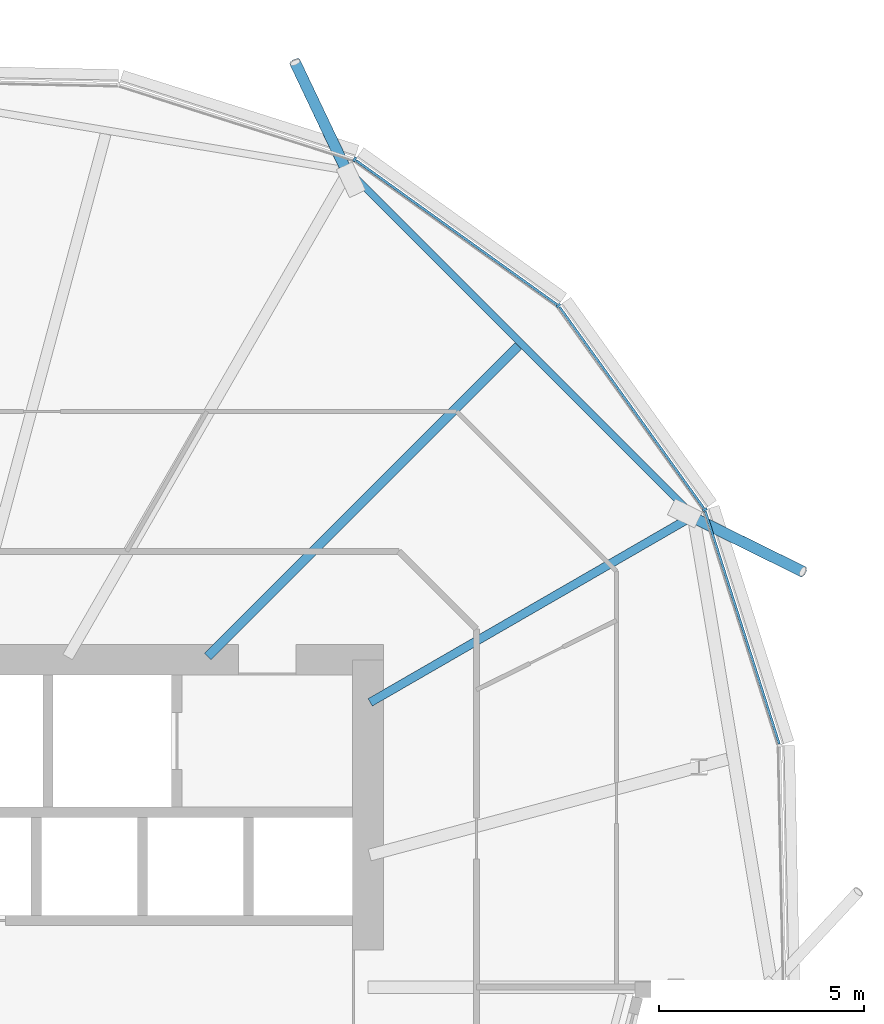
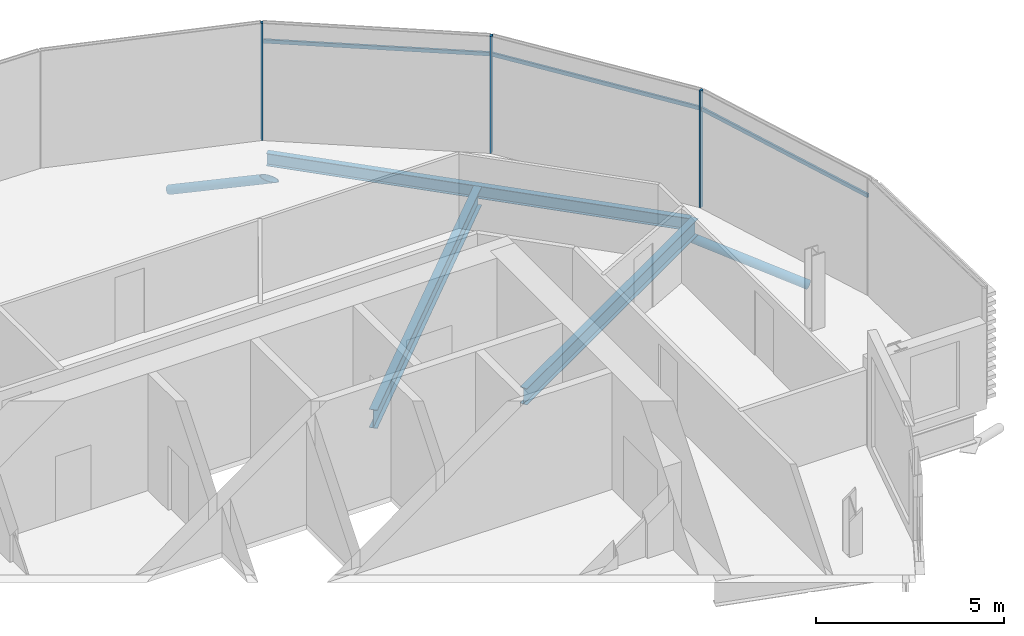
# One storey, part 18 of 39: 8 members, 3 beams, 1 element without a shape of its own.
"""IFC4 building model written with IfcOpenShell, lengths in metres."""

from ifc_helpers import new_model, si_unit, direction, frame, origin, origin_2d, place, context, subcontext, project, spatial, rectangle, hollow_circle, i_section, extrude, clip, halfspace, material, material_profile, profile_set, type_object, element, aggregate, save


model = new_model("IFC4")

# Units and contexts
model_context = context("Model", 3, precision=1e-05, world=origin(), true_north=direction((0.0, 1.0)))
body_context = subcontext(model_context, "Body", "Model", "MODEL_VIEW")
ifc_project = project(units=[si_unit("LENGTHUNIT", "METRE"), si_unit("AREAUNIT", "SQUARE_METRE"), si_unit("VOLUMEUNIT", "CUBIC_METRE"), si_unit("PLANEANGLEUNIT", "RADIAN"), si_unit("MASSUNIT", "GRAM", prefix="KILO")], contexts=[model_context])

# Site, building, storey
site_placement = place(None, origin())
site = spatial("IfcSite", under=ifc_project, at=site_placement, CompositionType="ELEMENT")
building_placement = place(site_placement, origin())
building = spatial("IfcBuilding", under=site, at=building_placement, Name="Rimbun Link Towers", CompositionType="ELEMENT")
storey_placement = place(building_placement, frame((0.0, 0.0, 100.60009765625)))
storey = spatial("IfcBuildingStorey", under=building, at=storey_placement, Name="L24", CompositionType="ELEMENT", Elevation=100.60009765625)

# Curtain wall, members
ifc_material_1 = material(Name="Aluminium 6063-T6 and low-iron glass", Category="aluminium")
curtain_wall_type = type_object("IfcCurtainWallType", Name="CW1-Z2 unitised vision wall (zone 2)", PredefinedType="NOTDEFINED", material=ifc_material_1)
curtain_wall_placement = place(storey_placement, origin())
curtain_wall = element("IfcCurtainWall", 1, at=curtain_wall_placement, inside=storey, type_object=curtain_wall_type, Name="CW1 L24 T2", PredefinedType="NOTDEFINED")
ifc_material_2 = material(Name="Aluminium 6063-T6", Category="aluminium")
ifc_material_profile_1 = material_profile(ifc_material_2, rectangle(XDim=0.1201171875, YDim=0.06005859375, at=origin_2d()), Name="MULLION 60X120")
ifc_profile_set_1 = profile_set([ifc_material_profile_1], Name="Aluminium 6063-T6")
member_type_1 = type_object("IfcMemberType", Name="CW1 mullion 60X120", PredefinedType="MULLION", material=ifc_profile_set_1)
member_1_placement = place(storey_placement, frame((43.42529296875, 20.22900390625, 0.0), z_axis=(0.0, 0.0, 1.0), x_axis=(0.448568823909, 0.893748292428, 0.0)))
member_1 = element("IfcMember", 2, at=member_1_placement, type_object=member_type_1, Name="CW1 mullion", PredefinedType="MULLION", context=body_context, shape_type="SweptSolid", body=[
    extrude(rectangle(XDim=0.1201171875, YDim=0.06005859375, at=origin_2d()), origin(), (0.0, 0.0, 1.0), 3.7998046875),
])
member_2_placement = place(storey_placement, frame((48.405517578125, 16.655517578125, 0.0), z_axis=(0.0, 0.0, 1.0), x_axis=(0.707106781187, 0.707106781187, 0.0)))
member_2 = element("IfcMember", 3, at=member_2_placement, type_object=member_type_1, Name="CW1 mullion", PredefinedType="MULLION", context=body_context, shape_type="SweptSolid", body=[
    extrude(rectangle(XDim=0.1201171875, YDim=0.06005859375, at=origin_2d()), origin(), (0.0, 0.0, 1.0), 3.7998046875),
])
member_3_placement = place(storey_placement, frame((51.97900390625, 11.67529296875, 0.0), z_axis=(0.0, 0.0, 1.0), x_axis=(0.893748292428, 0.448568823909, 0.0)))
member_3 = element("IfcMember", 4, at=member_3_placement, type_object=member_type_1, Name="CW1 mullion", PredefinedType="MULLION", context=body_context, shape_type="SweptSolid", body=[
    extrude(rectangle(XDim=0.1201171875, YDim=0.06005859375, at=origin_2d()), origin(), (0.0, 0.0, 1.0), 3.7998046875),
])
ifc_material_3 = material(Name="Aluminium 6063-T6", Category="aluminium")
ifc_material_profile_2 = material_profile(ifc_material_3, rectangle(XDim=0.06005859375, YDim=0.1201171875, at=origin_2d()), Name="TRANSOM 60X120")
ifc_profile_set_2 = profile_set([ifc_material_profile_2], Name="Aluminium 6063-T6")
member_type_2 = type_object("IfcMemberType", Name="CW1 transom 60X120", PredefinedType="USERDEFINED", material=ifc_profile_set_2)
member_4_placement = place(storey_placement, frame((43.45654296875, 20.205078125, 3.199951171875), z_axis=(0.812488392383, -0.582977368551, 0.0), x_axis=(0.582977368551, 0.812488392383, 0.0)))
member_4 = element("IfcMember", 5, at=member_4_placement, type_object=member_type_2, Name="CW1 transom", ObjectType="TRANSOM", PredefinedType="USERDEFINED", context=body_context, shape_type="SweptSolid", body=[
    extrude(rectangle(XDim=0.06005859375, YDim=0.1201171875, at=origin_2d()), origin(), (0.0, 0.0, 1.0), 6.050537109375),
])
member_5_placement = place(storey_placement, frame((51.98974609375, 11.63720703125, 3.199951171875), z_axis=(0.303095733354, -0.952960112713, 0.0), x_axis=(0.952960112713, 0.303095733354, 0.0)))
member_5 = element("IfcMember", 6, at=member_5_placement, type_object=member_type_2, Name="CW1 transom", ObjectType="TRANSOM", PredefinedType="USERDEFINED", context=body_context, shape_type="SweptSolid", body=[
    extrude(rectangle(XDim=0.06005859375, YDim=0.1201171875, at=origin_2d()), origin(), (0.0, 0.0, 1.0), 5.975830078125),
])
member_6_placement = place(storey_placement, frame((48.427734375, 16.62255859375, 3.199951171875), z_axis=(0.582977368551, -0.812488392383, 0.0), x_axis=(0.812488392383, 0.582977368551, 0.0)))
member_6 = element("IfcMember", 7, at=member_6_placement, type_object=member_type_2, Name="CW1 transom", ObjectType="TRANSOM", PredefinedType="USERDEFINED", context=body_context, shape_type="SweptSolid", body=[
    extrude(rectangle(XDim=0.06005859375, YDim=0.1201171875, at=origin_2d()), origin(), (0.0, 0.0, 1.0), 6.050537109375),
])
aggregate(curtain_wall, [member_1, member_2, member_3, member_4, member_5, member_6])

# Members
ifc_material_4 = material(Name="Steel S355J2H", Category="steel")
ifc_material_profile_3 = material_profile(ifc_material_4, hollow_circle(Radius=0.136474609375, WallThickness=0.012451171875, at=origin_2d()), Name="CHS 273x12.5")
ifc_profile_set_3 = profile_set([ifc_material_profile_3], Name="Steel S355J2H")
member_type_3 = type_object("IfcMemberType", Name="Floor edge link CHS 273x12.5", PredefinedType="BRACE", material=ifc_profile_set_3)
member_7_placement = place(storey_placement, frame((43.245361328125, 19.910400390625, -1.044189453125), z_axis=(-0.38227041988, 0.804584756367, -0.454436679755), x_axis=(-0.90323718588, -0.429141685279, 0.0)))
element("IfcMember", 8, at=member_7_placement, inside=storey, type_object=member_type_3, Name="Floor edge link T2 L24 01", PredefinedType="BRACE", context=body_context, shape_type="Clipping", body=[
    clip(extrude(hollow_circle(Radius=0.136474609375, WallThickness=0.012451171875, at=origin_2d()), frame((0.0, 0.0, -0.55712890625)), (0.0, 0.0, 1.0), 3.91650390625), halfspace(frame((0.0, 0.0, -0.263916015625), z_axis=(0.0, 0.890779043362, -0.454436679755)), False)),
])
member_8_placement = place(storey_placement, frame((51.660400390625, 11.495361328125, -0.8134765625), z_axis=(0.789805454902, -0.389670354697, -0.473671149721), x_axis=(0.442454369197, 0.896791018676, 0.0)))
element("IfcMember", 9, at=member_8_placement, inside=storey, type_object=member_type_3, Name="Floor edge link T2 L24 23", PredefinedType="BRACE", context=body_context, shape_type="Clipping", body=[
    clip(extrude(hollow_circle(Radius=0.136474609375, WallThickness=0.012451171875, at=origin_2d()), frame((0.0, 0.0, -0.52880859375)), (0.0, 0.0, 1.0), 3.9814453125), halfspace(frame((0.0, 0.0, -0.249755859375), z_axis=(0.0, 0.880701789439, -0.473671149721)), False)),
])

# Beams
ifc_material_5 = material(Name="Steel S355J2", Category="steel")
ifc_material_profile_4 = material_profile(ifc_material_5, i_section(OverallWidth=0.177978515625, OverallDepth=0.406494140625, WebThickness=0.0078125, FlangeThickness=0.0126953125, at=origin_2d()), Name="UB 406x178x60")
ifc_profile_set_4 = profile_set([ifc_material_profile_4], Name="Steel S355J2")
beam_type_1 = type_object("IfcBeamType", Name="UB 406x178x60", PredefinedType="BEAM", material=ifc_profile_set_4)
beam_1_placement = place(storey_placement, frame((51.62646484375, 11.59765625, -0.36328125), z_axis=(-0.707106781187, 0.707106781187, 0.0), x_axis=(-0.707106781187, -0.707106781187, 0.0)))
element("IfcBeam", 10, at=beam_1_placement, inside=storey, type_object=beam_type_1, Name="Edge beam T2 L24 23-01", PredefinedType="BEAM", context=body_context, shape_type="SweptSolid", body=[
    extrude(i_section(OverallWidth=0.177978515625, OverallDepth=0.406494140625, WebThickness=0.0078125, FlangeThickness=0.0126953125, at=origin_2d()), origin(), (0.0, 0.0, 1.0), 11.67822265625),
])
ifc_material_6 = material(Name="Steel S355J2", Category="steel")
ifc_material_profile_5 = material_profile(ifc_material_6, i_section(OverallWidth=0.209228515625, OverallDepth=0.533203125, WebThickness=0.010009765625, FlangeThickness=0.015625, at=origin_2d()), Name="UB 533x210x92")
ifc_profile_set_5 = profile_set([ifc_material_profile_5], Name="Steel S355J2")
beam_type_2 = type_object("IfcBeamType", Name="UB 533x210x92", PredefinedType="BEAM", material=ifc_profile_set_5)
beam_2_placement = place(storey_placement, frame((43.80322265625, 6.958984375, -0.426513671875), z_axis=(0.866021140091, 0.50000738486, 0.0), x_axis=(-0.50000738486, 0.866021140091, 0.0)))
element("IfcBeam", 11, at=beam_2_placement, inside=storey, type_object=beam_type_2, Name="Radial beam T2 L24 23", PredefinedType="BEAM", context=body_context, shape_type="SweptSolid", body=[
    extrude(i_section(OverallWidth=0.209228515625, OverallDepth=0.533203125, WebThickness=0.010009765625, FlangeThickness=0.015625, at=origin_2d()), origin(), (0.0, 0.0, 1.0), 9.122802734375),
])
ifc_material_7 = material(Name="Steel S355J2", Category="steel")
ifc_material_profile_6 = material_profile(ifc_material_7, i_section(OverallWidth=0.2275390625, OverallDepth=0.6025390625, WebThickness=0.010498046875, FlangeThickness=0.014892578125, at=origin_2d()), Name="UB 610x229x101")
ifc_profile_set_6 = profile_set([ifc_material_profile_6], Name="Steel S355J2")
beam_type_3 = type_object("IfcBeamType", Name="UB 610x229x101", PredefinedType="BEAM", material=ifc_profile_set_6)
beam_3_placement = place(storey_placement, frame((39.831298828125, 8.081298828125, -0.46142578125), z_axis=(0.707106781187, 0.707106781187, 0.0), x_axis=(-0.707106781187, 0.707106781187, 0.0)))
element("IfcBeam", 12, at=beam_3_placement, inside=storey, type_object=beam_type_3, Name="Radial beam T2 L24 00", PredefinedType="BEAM", context=body_context, shape_type="SweptSolid", body=[
    extrude(i_section(OverallWidth=0.2275390625, OverallDepth=0.6025390625, WebThickness=0.010498046875, FlangeThickness=0.014892578125, at=origin_2d()), origin(), (0.0, 0.0, 1.0), 10.737060546875),
])

save(model, "model.ifc")
